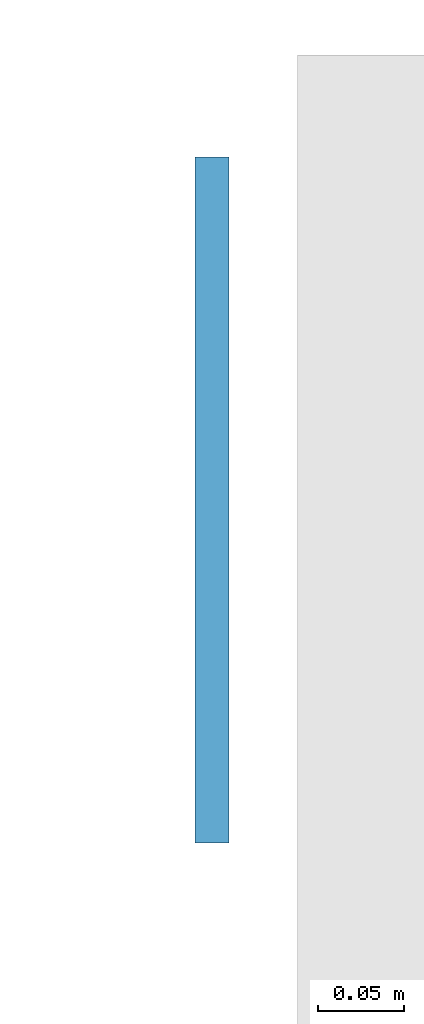
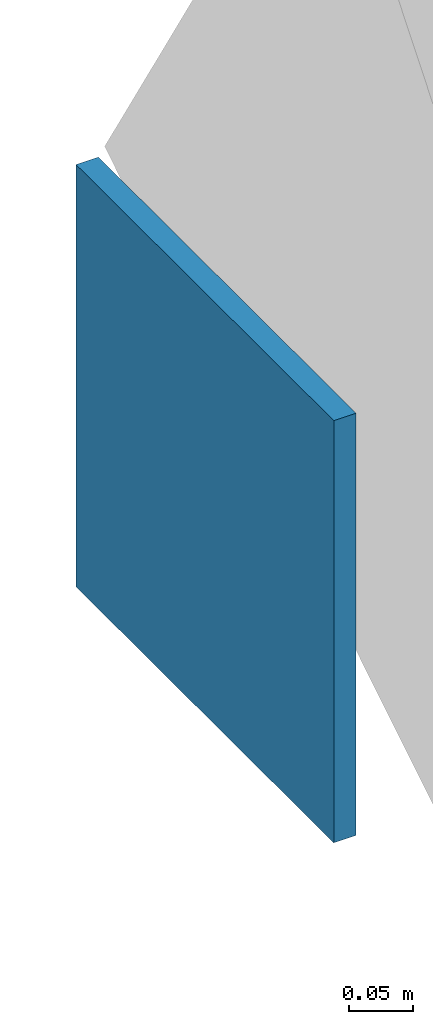
# One storey, part 11 of 21: 1 discrete accessory.
"""IFC4 building model written with IfcOpenShell, lengths in metres."""

import ifcopenshell
import ifcopenshell.guid

model = None  # the IFC model being written
_history = None  # IfcOwnerHistory: only IFC2X3 demands one
_inside = {}  # id of a spatial element -> (the spatial element, [elements in it])
_under = {}  # id of a project, library or spatial element -> (it, [spatial elements below it])
_declared = {}  # id of a project -> (the project, [libraries it declares])
_typed = {}  # id of a type object -> (the type object, [elements of that type])
_made_of = {}  # id of a material, layer set ... -> (it, [elements and type objects made of it])


def new_model(schema):
    """Start an empty IFC model of exactly this schema.

    Asked for "IFC4X3", IfcOpenShell would pick the latest addendum, in which some entities
    have other attributes; the version numbers below select the first issue.
    IFC2X3 requires an IfcOwnerHistory on every rooted entity: one is made here for all.
    """
    global model, _history
    if schema == "IFC4X3":
        model = ifcopenshell.file(schema_version=(4, 3, 0, 0))
    else:
        model = ifcopenshell.file(schema=schema)
    _inside.clear()
    _under.clear()
    _declared.clear()
    _typed.clear()
    _made_of.clear()
    _history = None
    if model.schema == "IFC2X3":
        org = make("IfcOrganization", Name="unknown")
        user = make(
            "IfcPersonAndOrganization",
            ThePerson=make("IfcPerson", FamilyName="unknown"),
            TheOrganization=org,
        )
        app = make(
            "IfcApplication",
            ApplicationDeveloper=org,
            Version="unknown",
            ApplicationFullName="unknown",
            ApplicationIdentifier="unknown",
        )
        _history = make(
            "IfcOwnerHistory",
            OwningUser=user,
            OwningApplication=app,
            ChangeAction="ADDED",
            CreationDate=0,
        )
    return model


def make(cls, **values):
    """One entity of the class cls with the attributes given. An attribute that is None is left unset."""
    return model.create_entity(
        cls, **{name: value for name, value in values.items() if value is not None}
    )


def rooted(cls, **values):
    """An entity with a GlobalId (a new one), such as an element, a storey or a relation."""
    return make(cls, GlobalId=ifcopenshell.guid.new(), OwnerHistory=_history, **values)


def si_unit(unit_type, name, prefix=None):
    """IfcSIUnit, for example si_unit("LENGTHUNIT", "METRE", prefix="MILLI")."""
    return make("IfcSIUnit", UnitType=unit_type, Prefix=prefix, Name=name)


def assignment(units):
    """IfcUnitAssignment: the units of a project."""
    return None if units is None else make("IfcUnitAssignment", Units=units)


def point(xyz):
    """IfcCartesianPoint."""
    return None if xyz is None else make("IfcCartesianPoint", Coordinates=xyz)


def direction(xyz):
    """IfcDirection."""
    return None if xyz is None else make("IfcDirection", DirectionRatios=xyz)


def frame(location, z_axis=None, x_axis=None):
    """IfcAxis2Placement3D, a coordinate frame: its origin and axes. An axis left out is left unset."""
    return make(
        "IfcAxis2Placement3D",
        Location=point(location),
        Axis=direction(z_axis),
        RefDirection=direction(x_axis),
    )


def frame_2d(location, x_axis=None):
    """IfcAxis2Placement2D, a coordinate frame in the plane: its origin and x axis."""
    return make(
        "IfcAxis2Placement2D", Location=point(location), RefDirection=direction(x_axis)
    )


def origin():
    """The frame at (0, 0, 0) with its axes left unset."""
    return frame((0.0, 0.0, 0.0))


def origin_2d():
    """The frame at (0, 0) in the plane with its x axis left unset."""
    return frame_2d((0.0, 0.0))


def place(relative_to, where):
    """IfcLocalPlacement: puts the frame where relative to a parent placement (None: the world)."""
    return make(
        "IfcLocalPlacement", PlacementRelTo=relative_to, RelativePlacement=where
    )


def context(
    kind, dimensions, precision=None, world=None, true_north=None, identifier=None
):
    """IfcGeometricRepresentationContext, for example the 3D "Model" context."""
    return make(
        "IfcGeometricRepresentationContext",
        ContextIdentifier=identifier,
        ContextType=kind,
        CoordinateSpaceDimension=dimensions,
        Precision=precision,
        WorldCoordinateSystem=world,
        TrueNorth=true_north,
    )


def subcontext(parent, identifier, kind, view, scale=None):
    """IfcGeometricRepresentationSubContext, for example "Body" below "Model"."""
    return make(
        "IfcGeometricRepresentationSubContext",
        ContextIdentifier=identifier,
        ContextType=kind,
        ParentContext=parent,
        TargetScale=scale,
        TargetView=view,
    )


def project(units=None, contexts=None):
    """IfcProject with its units and contexts."""
    return rooted(
        "IfcProject",
        Name="project",
        RepresentationContexts=contexts,
        UnitsInContext=assignment(units),
    )


def spatial(cls, under=None, at=None, **own):
    """A site, building, storey or space (cls), placed at a placement, below another one or the project."""
    s = rooted(cls, ObjectPlacement=at, **own)
    if under is not None:
        _under.setdefault(under.id(), (under, []))[1].append(s)
    return s


def profile(cls, at=None, kind="AREA", **sizes):
    """A parametric profile (cls). Its sizes go by their IFC names, for example OverallWidth=200.0."""
    return make(cls, ProfileType=kind, Position=at, **sizes)


def rectangle(**sizes):
    """IfcRectangleProfileDef."""
    return profile("IfcRectangleProfileDef", **sizes)


def extrude(swept, where, along, depth):
    """IfcExtrudedAreaSolid: the profile swept, set in the frame where, extruded along a direction by depth."""
    return make(
        "IfcExtrudedAreaSolid",
        SweptArea=swept,
        Position=where,
        ExtrudedDirection=direction(along),
        Depth=depth,
    )


def shape(context_of_items, identifier, shape_type, items):
    """IfcShapeRepresentation: the items that make up one representation, for example the "Body"."""
    return make(
        "IfcShapeRepresentation",
        ContextOfItems=context_of_items,
        RepresentationIdentifier=identifier,
        RepresentationType=shape_type,
        Items=items,
    )


def material(Name=None, Category=None):
    """IfcMaterial."""
    return make("IfcMaterial", Name=Name, Category=Category)


def material_profile(
    of_material, cross_section, Name=None, Category=None, Priority=None
):
    """IfcMaterialProfile: a cross section and its material."""
    return make(
        "IfcMaterialProfile",
        Name=Name,
        Material=of_material,
        Profile=cross_section,
        Priority=Priority,
        Category=Category,
    )


def profile_set(profiles, Name=None, composite=None):
    """IfcMaterialProfileSet."""
    return make(
        "IfcMaterialProfileSet",
        Name=Name,
        MaterialProfiles=profiles,
        CompositeProfile=composite,
    )


def made_of(thing, what):
    """Note that an element or type object is made of a material, layer set ...; save() writes the relation."""
    if what is not None:
        _made_of.setdefault(what.id(), (what, []))[1].append(thing)
    return thing


def type_object(cls, material=None, **own):
    """A type object (cls), such as IfcWallType, which elements share."""
    return made_of(rooted(cls, **own), material)


def element(
    cls,
    number,
    at=None,
    inside=None,
    cuts=None,
    type_object=None,
    material=None,
    context=None,
    identifier="Body",
    shape_type=None,
    held_by="IfcProductDefinitionShape",
    body=None,
    shapes=None,
    **own,
):
    """One element of the class cls, such as IfcWall. Its Tag is "e" and its number.

    at: its placement. inside: the storey or other place that contains it. cuts: it is an
    opening in that element (IfcRelVoidsElement). A single representation is given by context,
    identifier, shape_type and body (its items); several are given by shapes. held_by: the class
    of the entity that holds the representations. save() writes the other relations.
    """
    e = rooted(cls, Tag="e%d" % number, ObjectPlacement=at, **own)
    if body is not None:
        shapes = [shape(context, identifier, shape_type, body)]
    if shapes is not None:
        e.Representation = make(held_by, Representations=shapes)
    if inside is not None:
        _inside.setdefault(inside.id(), (inside, []))[1].append(e)
    if cuts is not None:
        rooted(
            "IfcRelVoidsElement", RelatingBuildingElement=cuts, RelatedOpeningElement=e
        )
    if type_object is not None:
        _typed.setdefault(type_object.id(), (type_object, []))[1].append(e)
    return made_of(e, material)


def aggregate(whole, parts):
    """IfcRelAggregates: a whole, such as a stair, and the parts it consists of."""
    return rooted("IfcRelAggregates", RelatingObject=whole, RelatedObjects=parts)


def save(model, path):
    """Write the relations noted so far, then the file.

    IfcRelAggregates (storeys below a building ...), IfcRelContainedInSpatialStructure (elements
    in a storey), IfcRelDefinesByType, IfcRelAssociatesMaterial and IfcRelDeclares: one each for
    every whole, place, type object, material and project.
    """
    for whole, parts in _under.values():
        aggregate(whole, parts)
    for where, things in _inside.values():
        rooted(
            "IfcRelContainedInSpatialStructure",
            RelatedElements=things,
            RelatingStructure=where,
        )
    for kind, things in _typed.values():
        rooted("IfcRelDefinesByType", RelatedObjects=things, RelatingType=kind)
    for what, things in _made_of.values():
        rooted("IfcRelAssociatesMaterial", RelatedObjects=things, RelatingMaterial=what)
    for by, libraries in _declared.values():
        rooted("IfcRelDeclares", RelatingContext=by, RelatedDefinitions=libraries)
    model.write(path)


model = new_model("IFC4")

# Units and contexts
model_context = context("Model", 3, precision=1e-05, world=origin(), true_north=direction((0.0, 1.0)))
body_context = subcontext(model_context, "Body", "Model", "MODEL_VIEW")
ifc_project = project(units=[si_unit("LENGTHUNIT", "METRE"), si_unit("AREAUNIT", "SQUARE_METRE"), si_unit("VOLUMEUNIT", "CUBIC_METRE"), si_unit("PLANEANGLEUNIT", "RADIAN"), si_unit("MASSUNIT", "GRAM", prefix="KILO")], contexts=[model_context])

# Site, building, storey
site_placement = place(None, origin())
site = spatial("IfcSite", under=ifc_project, at=site_placement, CompositionType="ELEMENT")
building_placement = place(site_placement, origin())
building = spatial("IfcBuilding", under=site, at=building_placement, Name="Cypress Arch Tower", CompositionType="ELEMENT")
storey_placement = place(building_placement, frame((0.0, 0.0, 127.5)))
storey = spatial("IfcBuildingStorey", under=building, at=storey_placement, Name="L27", CompositionType="ELEMENT", Elevation=127.5)

# Discrete accessory
ifc_material = material(Name="Steel ASTM A992", Category="steel")
ifc_material_profile = material_profile(ifc_material, rectangle(XDim=0.39990234375, YDim=0.39990234375, at=origin_2d()), Name="PL 20 400x400")
ifc_profile_set = profile_set([ifc_material_profile], Name="Steel ASTM A992")
discrete_accessory_type = type_object("IfcDiscreteAccessoryType", Name="West bracing diagonal end plate 400x400x20 Steel ASTM A992", PredefinedType="ANCHORPLATE", material=ifc_profile_set)
discrete_accessory_placement = place(storey_placement, frame((-31.099609375, -0.259033203125, 0.320068359375), z_axis=(-1.0, 0.0, 0.0), x_axis=(0.0, -1.0, 0.0)))
element("IfcDiscreteAccessory", 1, at=discrete_accessory_placement, inside=storey, type_object=discrete_accessory_type, Name="End plate west bracing diagonal 2B", PredefinedType="ANCHORPLATE", context=body_context, shape_type="SweptSolid", body=[
    extrude(rectangle(XDim=0.39990234375, YDim=0.39990234375, at=origin_2d()), origin(), (0.0, 0.0, 1.0), 0.02001953125),
])

save(model, "model.ifc")
